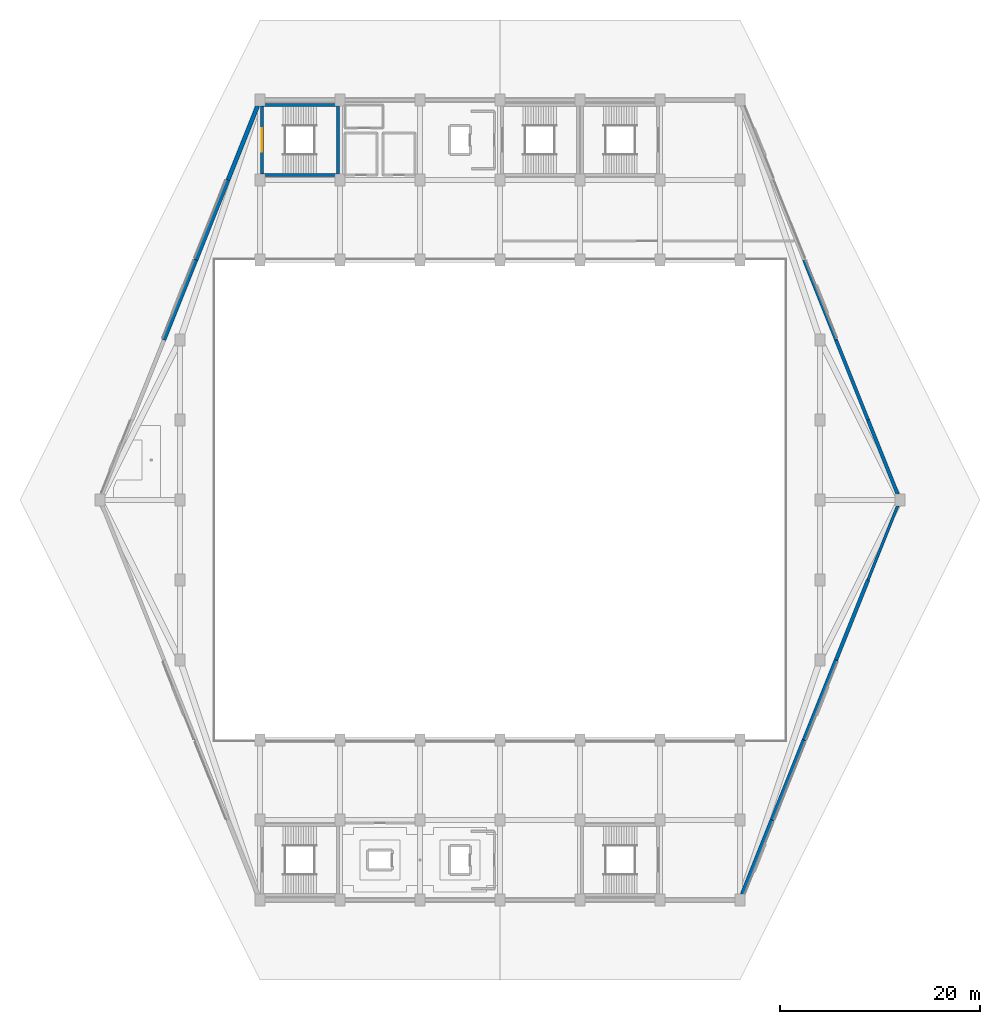
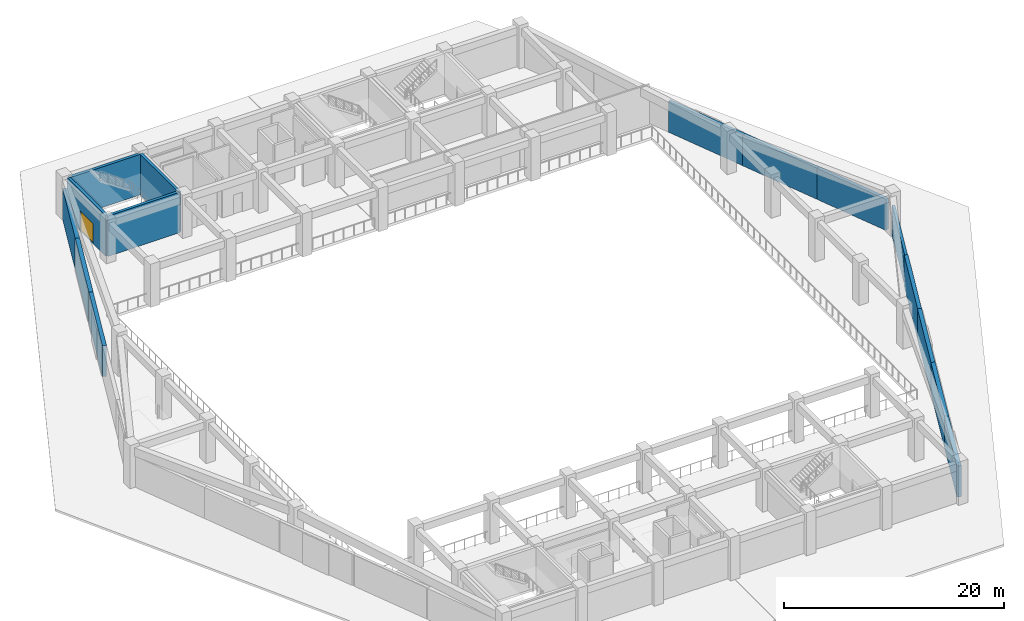
# One storey, part 3 of 8: 15 walls, 1 door, 1 opening.
"""IFC4 building model written with IfcOpenShell, lengths in metres."""

from ifc_helpers import new_model, si_unit, direction, frame, frame_2d, origin, place, context, subcontext, project, spatial, rectangle, extrude, material, layer, layer_set, type_object, element, fill, save


model = new_model("IFC4")

# Units and contexts
model_context = context("Model", 3, precision=1e-05, world=origin(), true_north=direction((0.0, 1.0)))
body_context = subcontext(model_context, "Body", "Model", "MODEL_VIEW")
ifc_project = project(units=[si_unit("LENGTHUNIT", "METRE"), si_unit("AREAUNIT", "SQUARE_METRE"), si_unit("VOLUMEUNIT", "CUBIC_METRE"), si_unit("PLANEANGLEUNIT", "RADIAN"), si_unit("MASSUNIT", "GRAM", prefix="KILO")], contexts=[model_context])

# Site, building, storey
site_placement = place(None, origin())
site = spatial("IfcSite", under=ifc_project, at=site_placement, CompositionType="ELEMENT")
building_placement = place(site_placement, origin())
building = spatial("IfcBuilding", under=site, at=building_placement, Name="Tazarka Park Arena", CompositionType="ELEMENT")
storey_placement = place(building_placement, frame((0.0, 0.0, 19.800048828125)))
storey = spatial("IfcBuildingStorey", under=building, at=storey_placement, Name="L04", CompositionType="ELEMENT", Elevation=19.800048828125)

# Wall
ifc_material_1 = material(Name="Concrete C40/50", Category="concrete")
ifc_layer_1 = layer(ifc_material_1, 0.300048828125, Name="Concrete C40/50")
ifc_layer_set_1 = layer_set([ifc_layer_1], Name="Concrete C40/50")
wall_type_1 = type_object("IfcWallType", Name="IWAL-CW-S1", PredefinedType="SHEAR", material=ifc_layer_set_1)
wall_1_placement = place(storey_placement, frame((71.800048828125, 96.5, 0.0), z_axis=(0.0, 0.0, 1.0), x_axis=(-1.0, 0.0, 0.0)))
element("IfcWall", 1, at=wall_1_placement, inside=storey, type_object=wall_type_1, Name="SCW-L04-ST14-S", PredefinedType="SHEAR", context=body_context, shape_type="SweptSolid", body=[
    extrude(rectangle(XDim=7.60009765625, YDim=0.300048828125, at=frame_2d((3.800048828125, 0.0))), origin(), (0.0, 0.0, 1.0), 4.5),
])

# Wall, opening, door
wall_2_placement = place(storey_placement, frame((64.199951171875, 96.5, 0.0), z_axis=(0.0, 0.0, 1.0), x_axis=(0.0, 1.0, 0.0)))
wall_2 = element("IfcWall", 2, at=wall_2_placement, inside=storey, type_object=wall_type_1, Name="SCW-L04-ST14-W", PredefinedType="SHEAR", context=body_context, shape_type="SweptSolid", body=[
    extrude(rectangle(XDim=7.0, YDim=0.300048828125, at=frame_2d((3.5, 0.0))), origin(), (0.0, 0.0, 1.0), 4.5),
])
opening_placement = place(wall_2_placement, frame((2.300048828125, 0.0, 0.0)))
opening = element("IfcOpeningElement", 3, at=opening_placement, cuts=wall_2, Name="Opening ID-05", PredefinedType="OPENING", context=body_context, shape_type="SweptSolid", body=[
    extrude(rectangle(XDim=2.39990234375, YDim=2.199951171875, at=frame_2d((1.199951171875, 1.10009765625))), frame((0.0, 0.16015625, 0.0), z_axis=(0.0, -1.0, 0.0), x_axis=(1.0, 0.0, 0.0)), (0.0, 0.0, 1.0), 0.320068359375),
])
ifc_material_2 = material(Name="Fire-rated powder-coated steel and acoustic timber", Category="steel")
door_type = type_object("IfcDoorType", Name="IDR-ID-05", OperationType="NOTDEFINED", PredefinedType="DOOR", material=ifc_material_2)
door_placement = place(opening_placement, frame((2.39990234375, 0.0, 0.0), z_axis=(0.0, 0.0, 1.0), x_axis=(-1.0, 0.0, 0.0)))
door = element("IfcDoor", 4, at=door_placement, inside=storey, type_object=door_type, Name="Exit Stair Door ST14-L04", OperationType="DOUBLE_DOOR_SINGLE_SWING", OverallHeight=2.199951171875, OverallWidth=2.39990234375, PredefinedType="DOOR", context=body_context, shape_type="SweptSolid", body=[
    extrude(rectangle(XDim=2.39990234375, YDim=2.199951171875, at=frame_2d((1.199951171875, 1.10009765625))), frame((0.0, 0.02490234375, 0.0), z_axis=(0.0, -1.0, 0.0), x_axis=(1.0, 0.0, 0.0)), (0.0, 0.0, 1.0), 0.050048828125),
])
fill(opening, door)

# Walls
wall_3_placement = place(storey_placement, frame((64.199951171875, 103.5, 0.0), z_axis=(0.0, 0.0, 1.0), x_axis=(1.0, 0.0, 0.0)))
element("IfcWall", 5, at=wall_3_placement, inside=storey, type_object=wall_type_1, Name="SCW-L04-ST14-N", PredefinedType="SHEAR", context=body_context, shape_type="SweptSolid", body=[
    extrude(rectangle(XDim=7.60009765625, YDim=0.300048828125, at=frame_2d((3.800048828125, 0.0))), origin(), (0.0, 0.0, 1.0), 4.5),
])
wall_4_placement = place(storey_placement, frame((71.800048828125, 103.5, 0.0), z_axis=(0.0, 0.0, 1.0), x_axis=(0.0, -1.0, 0.0)))
element("IfcWall", 6, at=wall_4_placement, inside=storey, type_object=wall_type_1, Name="SCW-L04-ST14-E", PredefinedType="SHEAR", context=body_context, shape_type="SweptSolid", body=[
    extrude(rectangle(XDim=7.0, YDim=0.300048828125, at=frame_2d((3.5, 0.0))), origin(), (0.0, 0.0, 1.0), 4.5),
])
ifc_material_3 = material(Name="Precast concrete C40/50", Category="concrete")
ifc_layer_2 = layer(ifc_material_3, 0.320068359375, Name="Precast concrete C40/50")
ifc_layer_set_2 = layer_set([ifc_layer_2], Name="Precast concrete C40/50")
wall_type_2 = type_object("IfcWallType", Name="WAL-EW-02", PredefinedType="SOLIDWALL", material=ifc_layer_set_2)
wall_5_placement = place(storey_placement, frame((118.39990234375, 88.0, 0.0), z_axis=(0.0, 0.0, 1.0), x_axis=(0.37141021739, -0.928468874232, 0.0)))
element("IfcWall", 7, at=wall_5_placement, inside=storey, type_object=wall_type_2, Name="EW-L04-0337", PredefinedType="SOLIDWALL", context=body_context, shape_type="SweptSolid", body=[
    extrude(rectangle(XDim=8.616455078125, YDim=0.320068359375, at=frame_2d((4.30810546875, 0.0))), origin(), (0.0, 0.0, 1.0), 3.449951171875),
])
ifc_material_4 = material(Name="Concrete C40/50", Category="concrete")
ifc_layer_3 = layer(ifc_material_4, 0.340087890625, Name="Concrete C40/50")
ifc_layer_set_3 = layer_set([ifc_layer_3], Name="Concrete C40/50")
wall_type_3 = type_object("IfcWallType", Name="WAL-EW-03", PredefinedType="SOLIDWALL", material=ifc_layer_set_3)
wall_6_placement = place(storey_placement, frame((121.60009765625, 80.0, 0.0), z_axis=(0.0, 0.0, 1.0), x_axis=(0.371385791018, -0.928478645005, 0.0)))
element("IfcWall", 8, at=wall_6_placement, inside=storey, type_object=wall_type_3, Name="EW-L04-0338", PredefinedType="SOLIDWALL", context=body_context, shape_type="SweptSolid", body=[
    extrude(rectangle(XDim=8.6162109375, YDim=0.340087890625, at=frame_2d((4.30810546875, 0.0))), origin(), (0.0, 0.0, 1.0), 3.449951171875),
])
ifc_material_5 = material(Name="Concrete C40/50", Category="concrete")
ifc_layer_4 = layer(ifc_material_5, 0.360107421875, Name="Concrete C40/50")
ifc_layer_set_4 = layer_set([ifc_layer_4], Name="Concrete C40/50")
wall_type_4 = type_object("IfcWallType", Name="WAL-EW-04", PredefinedType="SOLIDWALL", material=ifc_layer_set_4)
wall_7_placement = place(storey_placement, frame((124.800048828125, 72.0, 0.0), z_axis=(0.0, 0.0, 1.0), x_axis=(0.371395943584, -0.928474583976, 0.0)))
element("IfcWall", 9, at=wall_7_placement, inside=storey, type_object=wall_type_4, Name="EW-L04-0339", PredefinedType="SOLIDWALL", context=body_context, shape_type="SweptSolid", body=[
    extrude(rectangle(XDim=7.991455078125, YDim=0.360107421875, at=frame_2d((3.99560546875, 0.0))), origin(), (0.0, 0.0, 1.0), 3.449951171875),
])
ifc_material_6 = material(Name="Precast concrete C40/50", Category="concrete")
ifc_layer_5 = layer(ifc_material_6, 0.27001953125, Name="Precast concrete C40/50")
ifc_layer_set_5 = layer_set([ifc_layer_5], Name="Precast concrete C40/50")
wall_type_5 = type_object("IfcWallType", Name="WAL-EW-11", PredefinedType="SOLIDWALL", material=ifc_layer_set_5)
wall_8_placement = place(storey_placement, frame((127.76806640625, 63.419921875, 0.0), z_axis=(0.0, 0.0, 1.0), x_axis=(-0.371395943584, -0.928474583976, 0.0)))
element("IfcWall", 10, at=wall_8_placement, inside=storey, type_object=wall_type_5, Name="EW-L04-0330", PredefinedType="SOLIDWALL", context=body_context, shape_type="SweptSolid", body=[
    extrude(rectangle(XDim=7.991455078125, YDim=0.27001953125, at=frame_2d((3.99560546875, 0.0))), origin(), (0.0, 0.0, 1.0), 3.449951171875),
])
ifc_material_7 = material(Name="Concrete C40/50", Category="concrete")
ifc_layer_6 = layer(ifc_material_7, 0.3701171875, Name="Concrete C40/50")
ifc_layer_set_6 = layer_set([ifc_layer_6], Name="Concrete C40/50")
wall_type_6 = type_object("IfcWallType", Name="WAL-EW-12", PredefinedType="SOLIDWALL", material=ifc_layer_set_6)
wall_9_placement = place(storey_placement, frame((124.800048828125, 56.0, 0.0), z_axis=(0.0, 0.0, 1.0), x_axis=(-0.371385791018, -0.928478645005, 0.0)))
element("IfcWall", 11, at=wall_9_placement, inside=storey, type_object=wall_type_6, Name="EW-L04-0331", PredefinedType="SOLIDWALL", context=body_context, shape_type="SweptSolid", body=[
    extrude(rectangle(XDim=8.6162109375, YDim=0.3701171875, at=frame_2d((4.30810546875, 0.0))), origin(), (0.0, 0.0, 1.0), 3.449951171875),
])
ifc_material_8 = material(Name="Concrete C50/60", Category="concrete")
ifc_layer_7 = layer(ifc_material_8, 0.389892578125, Name="Concrete C50/60")
ifc_layer_set_7 = layer_set([ifc_layer_7], Name="Concrete C50/60")
wall_type_7 = type_object("IfcWallType", Name="WAL-EW-13", PredefinedType="SOLIDWALL", material=ifc_layer_set_7)
for number, where, z_axis, x_axis, name in (
    (12, (121.60009765625, 48.0, 0.0), (0.0, 0.0, 1.0), (-0.37141021739, -0.928468874232, 0.0), "EW-L04-0332"),
    (13, (54.39990234375, 80.0, 0.0), (0.0, 0.0, 1.0), (0.37141021739, 0.928468874232, 0.0), "EW-L04-0348"),
):
    element("IfcWall", number, at=place(storey_placement, frame(where, z_axis=z_axis, x_axis=x_axis)), inside=storey, type_object=wall_type_7, Name=name, PredefinedType="SOLIDWALL", context=body_context, shape_type="SweptSolid", body=[
        extrude(rectangle(XDim=8.616455078125, YDim=0.389892578125, at=frame_2d((4.30810546875, 0.0))), origin(), (0.0, 0.0, 1.0), 3.449951171875),
    ])
ifc_material_9 = material(Name="Concrete C50/60", Category="concrete")
ifc_layer_8 = layer(ifc_material_9, 0.409912109375, Name="Concrete C50/60")
ifc_layer_set_8 = layer_set([ifc_layer_8], Name="Concrete C50/60")
wall_type_8 = type_object("IfcWallType", Name="WAL-EW-14", PredefinedType="SOLIDWALL", material=ifc_layer_set_8)
for number, where, z_axis, x_axis, name in (
    (14, (118.39990234375, 40.0, 0.0), (0.0, 0.0, 1.0), (-0.371385791018, -0.928478645005, 0.0), "EW-L04-0333"),
    (15, (57.60009765625, 88.0, 0.0), (0.0, 0.0, 1.0), (0.371385791018, 0.928478645005, 0.0), "EW-L04-0349"),
):
    element("IfcWall", number, at=place(storey_placement, frame(where, z_axis=z_axis, x_axis=x_axis)), inside=storey, type_object=wall_type_8, Name=name, PredefinedType="SOLIDWALL", context=body_context, shape_type="SweptSolid", body=[
        extrude(rectangle(XDim=8.6162109375, YDim=0.409912109375, at=frame_2d((4.30810546875, 0.0))), origin(), (0.0, 0.0, 1.0), 3.449951171875),
    ])
ifc_material_10 = material(Name="Concrete C50/60", Category="concrete")
ifc_layer_9 = layer(ifc_material_10, 0.419921875, Name="Concrete C50/60")
ifc_layer_set_9 = layer_set([ifc_layer_9], Name="Concrete C50/60")
wall_type_9 = type_object("IfcWallType", Name="WAL-EW-15", PredefinedType="SOLIDWALL", material=ifc_layer_set_9)
for number, where, z_axis, x_axis, name in (
    (16, (115.199951171875, 32.0, 0.0), (0.0, 0.0, 1.0), (-0.371395943584, -0.928474583976, 0.0), "EW-L04-0334"),
    (17, (60.800048828125, 96.0, 0.0), (0.0, 0.0, 1.0), (0.371395943584, 0.928474583976, 0.0), "EW-L04-0350"),
):
    element("IfcWall", number, at=place(storey_placement, frame(where, z_axis=z_axis, x_axis=x_axis)), inside=storey, type_object=wall_type_9, Name=name, PredefinedType="SOLIDWALL", context=body_context, shape_type="SweptSolid", body=[
        extrude(rectangle(XDim=7.991455078125, YDim=0.419921875, at=frame_2d((3.99560546875, 0.0))), origin(), (0.0, 0.0, 1.0), 3.449951171875),
    ])

save(model, "model.ifc")
